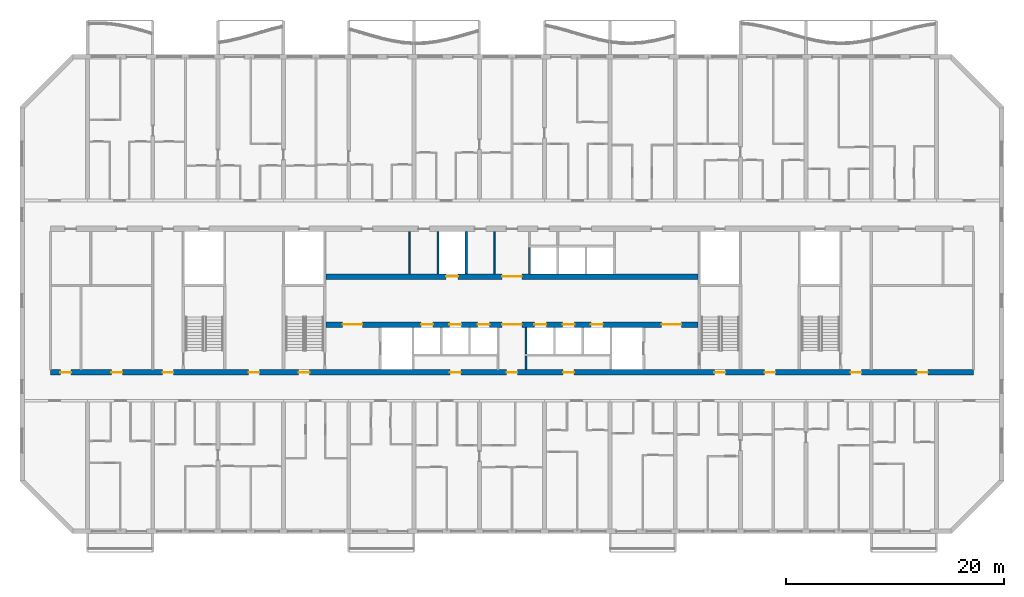
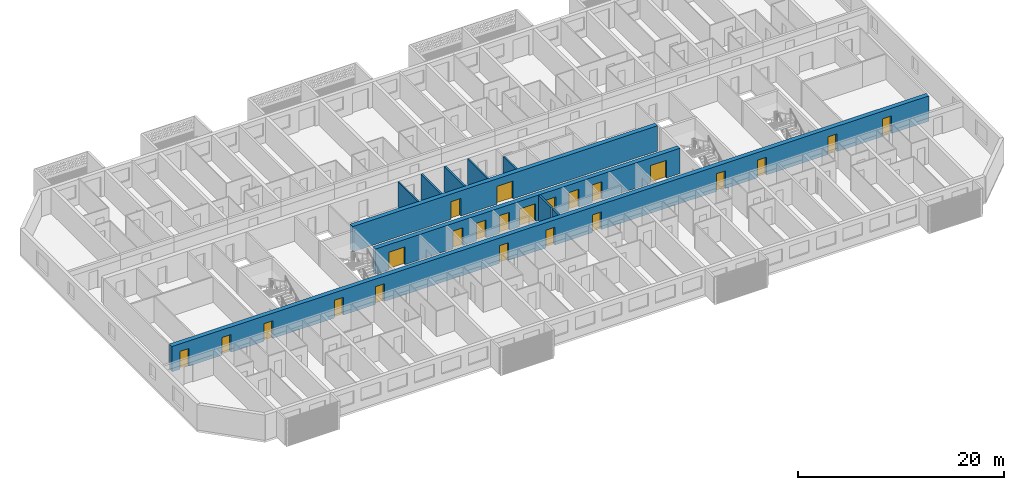
# One storey, part 7 of 24: 23 doors, 10 walls, 23 openings.
"""IFC4 building model written with IfcOpenShell, lengths in metres."""

from ifc_helpers import new_model, si_unit, direction, frame, frame_2d, origin, place, context, subcontext, project, spatial, rectangle, extrude, material, layer, layer_set, type_object, element, fill, save


model = new_model("IFC4")

# Units and contexts
model_context = context("Model", 3, precision=1e-05, world=origin(), true_north=direction((0.0, 1.0)))
body_context = subcontext(model_context, "Body", "Model", "MODEL_VIEW")
ifc_project = project(units=[si_unit("LENGTHUNIT", "METRE"), si_unit("AREAUNIT", "SQUARE_METRE"), si_unit("VOLUMEUNIT", "CUBIC_METRE"), si_unit("PLANEANGLEUNIT", "RADIAN"), si_unit("MASSUNIT", "GRAM", prefix="KILO")], contexts=[model_context])

# Site, building, storey
site_placement = place(None, origin())
site = spatial("IfcSite", under=ifc_project, at=site_placement, CompositionType="ELEMENT")
building_placement = place(site_placement, origin())
building = spatial("IfcBuilding", under=site, at=building_placement, Name="Poui Terraces", CompositionType="ELEMENT")
storey_placement = place(building_placement, frame((0.0, 0.0, 102.60009765625)))
storey = spatial("IfcBuildingStorey", under=building, at=storey_placement, Name="L28", CompositionType="ELEMENT", Elevation=102.60009765625)

# Wall, openings, doors
ifc_material_1 = material(Name="Concrete 65 MPa", Category="concrete")
ifc_layer_1 = layer(ifc_material_1, 0.5)
ifc_layer_set_1 = layer_set([ifc_layer_1], Name="Concrete 65 MPa")
wall_type_1 = type_object("IfcWallType", Name="CORE WALL 500 65 MPA", PredefinedType="SOLIDWALL", material=ifc_layer_set_1)
wall_1_placement = place(storey_placement, frame((33.925048828125, 19.0, 0.0), z_axis=(0.0, 0.0, 1.0), x_axis=(1.0, 0.0, 0.0)))
wall_1 = element("IfcWall", 1, at=wall_1_placement, inside=storey, type_object=wall_type_1, Name="CORE WALL", PredefinedType="SOLIDWALL", context=body_context, shape_type="SweptSolid", body=[
    extrude(rectangle(XDim=34.14990234375, YDim=0.5, at=frame_2d((17.074951171875, 0.0))), origin(), (0.0, 0.0, 1.0), 3.0),
])
opening_1_placement = place(wall_1_placement, frame((16.175048828125, 0.0, 0.0)))
opening_1 = element("IfcOpeningElement", 2, at=opening_1_placement, cuts=wall_1, Name="Opening FDD60", PredefinedType="OPENING", context=body_context, shape_type="SweptSolid", body=[
    extrude(rectangle(XDim=1.800048828125, YDim=2.10009765625, at=frame_2d((0.89990234375, 1.050048828125))), frame((0.0, 0.260009765625, 0.0), z_axis=(0.0, -1.0, 0.0), x_axis=(1.0, 0.0, 0.0)), (0.0, 0.0, 1.0), 0.52001953125),
])
opening_2_placement = place(wall_1_placement, frame((1.52490234375, 0.0, 0.0)))
opening_2 = element("IfcOpeningElement", 3, at=opening_2_placement, cuts=wall_1, Name="Opening FDD60", PredefinedType="OPENING", context=body_context, shape_type="SweptSolid", body=[
    extrude(rectangle(XDim=1.800048828125, YDim=2.10009765625, at=frame_2d((0.89990234375, 1.050048828125))), frame((0.0, 0.260009765625, 0.0), z_axis=(0.0, -1.0, 0.0), x_axis=(1.0, 0.0, 0.0)), (0.0, 0.0, 1.0), 0.52001953125),
])
opening_3_placement = place(wall_1_placement, frame((8.72509765625, 0.0, 0.0)))
opening_3 = element("IfcOpeningElement", 4, at=opening_3_placement, cuts=wall_1, Name="Opening LD", PredefinedType="OPENING", context=body_context, shape_type="SweptSolid", body=[
    extrude(rectangle(XDim=1.10009765625, YDim=2.10009765625, at=frame_2d((0.550048828125, 1.050048828125))), frame((0.0, 0.260009765625, 0.0), z_axis=(0.0, -1.0, 0.0), x_axis=(1.0, 0.0, 0.0)), (0.0, 0.0, 1.0), 0.52001953125),
])
opening_4_placement = place(wall_1_placement, frame((11.324951171875, 0.0, 0.0)))
opening_4 = element("IfcOpeningElement", 5, at=opening_4_placement, cuts=wall_1, Name="Opening LD", PredefinedType="OPENING", context=body_context, shape_type="SweptSolid", body=[
    extrude(rectangle(XDim=1.10009765625, YDim=2.10009765625, at=frame_2d((0.550048828125, 1.050048828125))), frame((0.0, 0.260009765625, 0.0), z_axis=(0.0, -1.0, 0.0), x_axis=(1.0, 0.0, 0.0)), (0.0, 0.0, 1.0), 0.52001953125),
])
opening_5_placement = place(wall_1_placement, frame((13.925048828125, 0.0, 0.0)))
opening_5 = element("IfcOpeningElement", 6, at=opening_5_placement, cuts=wall_1, Name="Opening LD", PredefinedType="OPENING", context=body_context, shape_type="SweptSolid", body=[
    extrude(rectangle(XDim=1.10009765625, YDim=2.10009765625, at=frame_2d((0.550048828125, 1.050048828125))), frame((0.0, 0.260009765625, 0.0), z_axis=(0.0, -1.0, 0.0), x_axis=(1.0, 0.0, 0.0)), (0.0, 0.0, 1.0), 0.52001953125),
])
opening_6_placement = place(wall_1_placement, frame((19.125, 0.0, 0.0)))
opening_6 = element("IfcOpeningElement", 7, at=opening_6_placement, cuts=wall_1, Name="Opening LD", PredefinedType="OPENING", context=body_context, shape_type="SweptSolid", body=[
    extrude(rectangle(XDim=1.10009765625, YDim=2.10009765625, at=frame_2d((0.550048828125, 1.050048828125))), frame((0.0, 0.260009765625, 0.0), z_axis=(0.0, -1.0, 0.0), x_axis=(1.0, 0.0, 0.0)), (0.0, 0.0, 1.0), 0.52001953125),
])
opening_7_placement = place(wall_1_placement, frame((21.72509765625, 0.0, 0.0)))
opening_7 = element("IfcOpeningElement", 8, at=opening_7_placement, cuts=wall_1, Name="Opening LD", PredefinedType="OPENING", context=body_context, shape_type="SweptSolid", body=[
    extrude(rectangle(XDim=1.10009765625, YDim=2.10009765625, at=frame_2d((0.550048828125, 1.050048828125))), frame((0.0, 0.260009765625, 0.0), z_axis=(0.0, -1.0, 0.0), x_axis=(1.0, 0.0, 0.0)), (0.0, 0.0, 1.0), 0.52001953125),
])
opening_8_placement = place(wall_1_placement, frame((24.324951171875, 0.0, 0.0)))
opening_8 = element("IfcOpeningElement", 9, at=opening_8_placement, cuts=wall_1, Name="Opening LD", PredefinedType="OPENING", context=body_context, shape_type="SweptSolid", body=[
    extrude(rectangle(XDim=1.10009765625, YDim=2.10009765625, at=frame_2d((0.550048828125, 1.050048828125))), frame((0.0, 0.260009765625, 0.0), z_axis=(0.0, -1.0, 0.0), x_axis=(1.0, 0.0, 0.0)), (0.0, 0.0, 1.0), 0.52001953125),
])
opening_9_placement = place(wall_1_placement, frame((30.824951171875, 0.0, 0.0)))
opening_9 = element("IfcOpeningElement", 10, at=opening_9_placement, cuts=wall_1, Name="Opening FDD60", PredefinedType="OPENING", context=body_context, shape_type="SweptSolid", body=[
    extrude(rectangle(XDim=1.800048828125, YDim=2.10009765625, at=frame_2d((0.89990234375, 1.050048828125))), frame((0.0, 0.260009765625, 0.0), z_axis=(0.0, -1.0, 0.0), x_axis=(1.0, 0.0, 0.0)), (0.0, 0.0, 1.0), 0.52001953125),
])
ifc_material_2 = material(Name="Steel fire door", Category="steel")
door_type_1 = type_object("IfcDoorType", Name="DOUBLE LOBBY FIRE DOOR 1800 X 2100", OperationType="DOUBLE_DOOR_SINGLE_SWING", PredefinedType="DOOR", material=ifc_material_2)
door_1_placement = place(opening_1_placement, frame((1.800048828125, 0.0, 0.0), z_axis=(0.0, 0.0, 1.0), x_axis=(-1.0, 0.0, 0.0)))
door_1 = element("IfcDoor", 11, at=door_1_placement, inside=storey, type_object=door_type_1, Name="DOUBLE LOBBY FIRE DOOR 137", OperationType="DOUBLE_DOOR_SINGLE_SWING", OverallHeight=2.10009765625, OverallWidth=1.800048828125, PredefinedType="DOOR", context=body_context, shape_type="SweptSolid", body=[
    extrude(rectangle(XDim=1.800048828125, YDim=2.10009765625, at=frame_2d((0.89990234375, 1.050048828125))), frame((0.0, 0.02490234375, 0.0), z_axis=(0.0, -1.0, 0.0), x_axis=(1.0, 0.0, 0.0)), (0.0, 0.0, 1.0), 0.050048828125),
])
fill(opening_1, door_1)
door_2_placement = place(opening_2_placement, origin())
door_2 = element("IfcDoor", 12, at=door_2_placement, inside=storey, type_object=door_type_1, Name="DOUBLE LOBBY FIRE DOOR 138", OperationType="DOUBLE_DOOR_SINGLE_SWING", OverallHeight=2.10009765625, OverallWidth=1.800048828125, PredefinedType="DOOR", context=body_context, shape_type="SweptSolid", body=[
    extrude(rectangle(XDim=1.800048828125, YDim=2.10009765625, at=frame_2d((0.89990234375, 1.050048828125))), frame((0.0, 0.02490234375, 0.0), z_axis=(0.0, -1.0, 0.0), x_axis=(1.0, 0.0, 0.0)), (0.0, 0.0, 1.0), 0.050048828125),
])
fill(opening_2, door_2)
door_3_placement = place(opening_9_placement, origin())
door_3 = element("IfcDoor", 13, at=door_3_placement, inside=storey, type_object=door_type_1, Name="DOUBLE LOBBY FIRE DOOR 146", OperationType="DOUBLE_DOOR_SINGLE_SWING", OverallHeight=2.10009765625, OverallWidth=1.800048828125, PredefinedType="DOOR", context=body_context, shape_type="SweptSolid", body=[
    extrude(rectangle(XDim=1.800048828125, YDim=2.10009765625, at=frame_2d((0.89990234375, 1.050048828125))), frame((0.0, 0.02490234375, 0.0), z_axis=(0.0, -1.0, 0.0), x_axis=(1.0, 0.0, 0.0)), (0.0, 0.0, 1.0), 0.050048828125),
])
fill(opening_9, door_3)
ifc_material_3 = material(Name="Stainless steel sliding door", Category="steel")
door_type_2 = type_object("IfcDoorType", Name="LIFT LANDING DOOR 1100 X 2100", OperationType="DOUBLE_DOOR_SLIDING", PredefinedType="DOOR", material=ifc_material_3)
door_4_placement = place(opening_3_placement, origin())
door_4 = element("IfcDoor", 14, at=door_4_placement, inside=storey, type_object=door_type_2, Name="LANDING DOOR", OperationType="DOUBLE_DOOR_SLIDING", OverallHeight=2.10009765625, OverallWidth=1.10009765625, PredefinedType="DOOR", context=body_context, shape_type="SweptSolid", body=[
    extrude(rectangle(XDim=1.10009765625, YDim=2.10009765625, at=frame_2d((0.550048828125, 1.050048828125))), frame((0.0, 0.02490234375, 0.0), z_axis=(0.0, -1.0, 0.0), x_axis=(1.0, 0.0, 0.0)), (0.0, 0.0, 1.0), 0.050048828125),
])
fill(opening_3, door_4)
door_5_placement = place(opening_4_placement, origin())
door_5 = element("IfcDoor", 15, at=door_5_placement, inside=storey, type_object=door_type_2, Name="LANDING DOOR", OperationType="DOUBLE_DOOR_SLIDING", OverallHeight=2.10009765625, OverallWidth=1.10009765625, PredefinedType="DOOR", context=body_context, shape_type="SweptSolid", body=[
    extrude(rectangle(XDim=1.10009765625, YDim=2.10009765625, at=frame_2d((0.550048828125, 1.050048828125))), frame((0.0, 0.02490234375, 0.0), z_axis=(0.0, -1.0, 0.0), x_axis=(1.0, 0.0, 0.0)), (0.0, 0.0, 1.0), 0.050048828125),
])
fill(opening_4, door_5)
door_6_placement = place(opening_5_placement, origin())
door_6 = element("IfcDoor", 16, at=door_6_placement, inside=storey, type_object=door_type_2, Name="LANDING DOOR", OperationType="DOUBLE_DOOR_SLIDING", OverallHeight=2.10009765625, OverallWidth=1.10009765625, PredefinedType="DOOR", context=body_context, shape_type="SweptSolid", body=[
    extrude(rectangle(XDim=1.10009765625, YDim=2.10009765625, at=frame_2d((0.550048828125, 1.050048828125))), frame((0.0, 0.02490234375, 0.0), z_axis=(0.0, -1.0, 0.0), x_axis=(1.0, 0.0, 0.0)), (0.0, 0.0, 1.0), 0.050048828125),
])
fill(opening_5, door_6)
door_7_placement = place(opening_6_placement, origin())
door_7 = element("IfcDoor", 17, at=door_7_placement, inside=storey, type_object=door_type_2, Name="LANDING DOOR", OperationType="DOUBLE_DOOR_SLIDING", OverallHeight=2.10009765625, OverallWidth=1.10009765625, PredefinedType="DOOR", context=body_context, shape_type="SweptSolid", body=[
    extrude(rectangle(XDim=1.10009765625, YDim=2.10009765625, at=frame_2d((0.550048828125, 1.050048828125))), frame((0.0, 0.02490234375, 0.0), z_axis=(0.0, -1.0, 0.0), x_axis=(1.0, 0.0, 0.0)), (0.0, 0.0, 1.0), 0.050048828125),
])
fill(opening_6, door_7)
door_8_placement = place(opening_7_placement, origin())
door_8 = element("IfcDoor", 18, at=door_8_placement, inside=storey, type_object=door_type_2, Name="LANDING DOOR", OperationType="DOUBLE_DOOR_SLIDING", OverallHeight=2.10009765625, OverallWidth=1.10009765625, PredefinedType="DOOR", context=body_context, shape_type="SweptSolid", body=[
    extrude(rectangle(XDim=1.10009765625, YDim=2.10009765625, at=frame_2d((0.550048828125, 1.050048828125))), frame((0.0, 0.02490234375, 0.0), z_axis=(0.0, -1.0, 0.0), x_axis=(1.0, 0.0, 0.0)), (0.0, 0.0, 1.0), 0.050048828125),
])
fill(opening_7, door_8)
door_9_placement = place(opening_8_placement, origin())
door_9 = element("IfcDoor", 19, at=door_9_placement, inside=storey, type_object=door_type_2, Name="LANDING DOOR", OperationType="DOUBLE_DOOR_SLIDING", OverallHeight=2.10009765625, OverallWidth=1.10009765625, PredefinedType="DOOR", context=body_context, shape_type="SweptSolid", body=[
    extrude(rectangle(XDim=1.10009765625, YDim=2.10009765625, at=frame_2d((0.550048828125, 1.050048828125))), frame((0.0, 0.02490234375, 0.0), z_axis=(0.0, -1.0, 0.0), x_axis=(1.0, 0.0, 0.0)), (0.0, 0.0, 1.0), 0.050048828125),
])
fill(opening_8, door_9)

wall_2_placement = place(storey_placement, frame((33.925048828125, 23.39990234375, 0.0), z_axis=(0.0, 0.0, 1.0), x_axis=(1.0, 0.0, 0.0)))
wall_2 = element("IfcWall", 20, at=wall_2_placement, inside=storey, type_object=wall_type_1, Name="CORE WALL", PredefinedType="SOLIDWALL", context=body_context, shape_type="SweptSolid", body=[
    extrude(rectangle(XDim=34.14990234375, YDim=0.5, at=frame_2d((17.074951171875, 0.0))), origin(), (0.0, 0.0, 1.0), 3.0),
])
opening_10_placement = place(wall_2_placement, frame((16.175048828125, 0.0, 0.0)))
opening_10 = element("IfcOpeningElement", 21, at=opening_10_placement, cuts=wall_2, Name="Opening FDD60", PredefinedType="OPENING", context=body_context, shape_type="SweptSolid", body=[
    extrude(rectangle(XDim=1.800048828125, YDim=2.10009765625, at=frame_2d((0.89990234375, 1.050048828125))), frame((0.0, 0.260009765625, 0.0), z_axis=(0.0, -1.0, 0.0), x_axis=(1.0, 0.0, 0.0)), (0.0, 0.0, 1.0), 0.52001953125),
])
opening_11_placement = place(wall_2_placement, frame((11.02490234375, 0.0, 0.0)))
opening_11 = element("IfcOpeningElement", 22, at=opening_11_placement, cuts=wall_2, Name="Opening LD", PredefinedType="OPENING", context=body_context, shape_type="SweptSolid", body=[
    extrude(rectangle(XDim=1.10009765625, YDim=2.10009765625, at=frame_2d((0.550048828125, 1.050048828125))), frame((0.0, 0.260009765625, 0.0), z_axis=(0.0, -1.0, 0.0), x_axis=(1.0, 0.0, 0.0)), (0.0, 0.0, 1.0), 0.52001953125),
])
door_10_placement = place(opening_10_placement, origin())
door_10 = element("IfcDoor", 23, at=door_10_placement, inside=storey, type_object=door_type_1, Name="DOUBLE LOBBY FIRE DOOR 136", OperationType="DOUBLE_DOOR_SINGLE_SWING", OverallHeight=2.10009765625, OverallWidth=1.800048828125, PredefinedType="DOOR", context=body_context, shape_type="SweptSolid", body=[
    extrude(rectangle(XDim=1.800048828125, YDim=2.10009765625, at=frame_2d((0.89990234375, 1.050048828125))), frame((0.0, 0.02490234375, 0.0), z_axis=(0.0, -1.0, 0.0), x_axis=(1.0, 0.0, 0.0)), (0.0, 0.0, 1.0), 0.050048828125),
])
fill(opening_10, door_10)
door_11_placement = place(opening_11_placement, origin())
door_11 = element("IfcDoor", 24, at=door_11_placement, inside=storey, type_object=door_type_2, Name="LANDING DOOR", OperationType="DOUBLE_DOOR_SLIDING", OverallHeight=2.10009765625, OverallWidth=1.10009765625, PredefinedType="DOOR", context=body_context, shape_type="SweptSolid", body=[
    extrude(rectangle(XDim=1.10009765625, YDim=2.10009765625, at=frame_2d((0.550048828125, 1.050048828125))), frame((0.0, 0.02490234375, 0.0), z_axis=(0.0, -1.0, 0.0), x_axis=(1.0, 0.0, 0.0)), (0.0, 0.0, 1.0), 0.050048828125),
])
fill(opening_11, door_11)

# Walls
ifc_material_4 = material(Name="Fire-rated plasterboard wall")
ifc_layer_2 = layer(ifc_material_4, 0.14990234375)
ifc_layer_set_2 = layer_set([ifc_layer_2], Name="Fire-rated plasterboard wall")
wall_type_2 = type_object("IfcWallType", Name="CORRIDOR WALL 150", PredefinedType="PARTITIONING", material=ifc_layer_set_2)
wall_3_placement = place(storey_placement, frame((49.39990234375, 23.659912109375, 0.0), z_axis=(0.0, 0.0, 1.0), x_axis=(0.0, 1.0, 0.0)))
element("IfcWall", 25, at=wall_3_placement, inside=storey, type_object=wall_type_2, Name="CORRIDOR WALL 150", PredefinedType="PARTITIONING", context=body_context, shape_type="SweptSolid", body=[
    extrude(rectangle(XDim=3.880126953125, YDim=0.14990234375, at=frame_2d((1.93994140625, 0.0))), origin(), (0.0, 0.0, 1.0), 3.0),
])
ifc_material_5 = material(Name="Plasterboard partition")
ifc_layer_3 = layer(ifc_material_5, 0.14990234375)
ifc_layer_set_3 = layer_set([ifc_layer_3], Name="Plasterboard partition")
wall_type_3 = type_object("IfcWallType", Name="PARTITION WALL 150", PredefinedType="PARTITIONING", material=ifc_layer_set_3)
wall_4_placement = place(storey_placement, frame((41.60009765625, 23.659912109375, 0.0), z_axis=(0.0, 0.0, 1.0), x_axis=(0.0, 1.0, 0.0)))
element("IfcWall", 26, at=wall_4_placement, inside=storey, type_object=wall_type_3, Name="PARTITION WALL 150", PredefinedType="PARTITIONING", context=body_context, shape_type="SweptSolid", body=[
    extrude(rectangle(XDim=3.880126953125, YDim=0.14990234375, at=frame_2d((1.93994140625, 0.0))), origin(), (0.0, 0.0, 1.0), 3.0),
])
ifc_material_6 = material(Name="Fire-rated masonry wall", Category="masonry")
ifc_layer_4 = layer(ifc_material_6, 0.199951171875)
ifc_layer_set_4 = layer_set([ifc_layer_4], Name="Fire-rated masonry wall")
wall_type_4 = type_object("IfcWallType", Name="PLANT ROOM WALL 200", PredefinedType="PARTITIONING", material=ifc_layer_set_4)
wall_5_placement = place(storey_placement, frame((52.300048828125, 14.860107421875, 0.0), z_axis=(0.0, 0.0, 1.0), x_axis=(0.0, 1.0, 0.0)))
element("IfcWall", 27, at=wall_5_placement, inside=storey, type_object=wall_type_4, Name="PLANT ROOM WALL 200", PredefinedType="PARTITIONING", context=body_context, shape_type="SweptSolid", body=[
    extrude(rectangle(XDim=1.239990234375, YDim=0.199951171875, at=frame_2d((0.6201171875, 0.0))), origin(), (0.0, 0.0, 1.0), 3.0),
])
ifc_material_7 = material(Name="Fire-rated masonry shaft wall", Category="masonry")
ifc_layer_5 = layer(ifc_material_7, 0.199951171875)
ifc_layer_set_5 = layer_set([ifc_layer_5], Name="Fire-rated masonry shaft wall")
wall_type_5 = type_object("IfcWallType", Name="SHAFT WALL 200", PredefinedType="PARTITIONING", material=ifc_layer_set_5)
for number, where, z_axis, x_axis, name in (
    (28, (44.199951171875, 23.659912109375, 0.0), (0.0, 0.0, 1.0), (0.0, 1.0, 0.0), "SHAFT WALL 200"),
    (29, (46.800048828125, 23.659912109375, 0.0), (0.0, 0.0, 1.0), (0.0, 1.0, 0.0), "SHAFT WALL 200"),
):
    element("IfcWall", number, at=place(storey_placement, frame(where, z_axis=z_axis, x_axis=x_axis)), inside=storey, type_object=wall_type_5, Name=name, PredefinedType="PARTITIONING", context=body_context, shape_type="SweptSolid", body=[
        extrude(rectangle(XDim=3.880126953125, YDim=0.199951171875, at=frame_2d((1.93994140625, 0.0))), origin(), (0.0, 0.0, 1.0), 3.0),
    ])
wall_6_placement = place(storey_placement, frame((52.300048828125, 16.300048828125, 0.0), z_axis=(0.0, 0.0, 1.0), x_axis=(0.0, 1.0, 0.0)))
element("IfcWall", 30, at=wall_6_placement, inside=storey, type_object=wall_type_5, Name="SHAFT WALL 200", PredefinedType="PARTITIONING", context=body_context, shape_type="SweptSolid", body=[
    extrude(rectangle(XDim=2.43994140625, YDim=0.199951171875, at=frame_2d((1.219970703125, 0.0))), origin(), (0.0, 0.0, 1.0), 3.0),
])
wall_7_placement = place(storey_placement, frame((52.60009765625, 23.659912109375, 0.0), z_axis=(0.0, 0.0, 1.0), x_axis=(0.0, 1.0, 0.0)))
element("IfcWall", 31, at=wall_7_placement, inside=storey, type_object=wall_type_5, Name="SHAFT WALL 200", PredefinedType="PARTITIONING", context=body_context, shape_type="SweptSolid", body=[
    extrude(rectangle(XDim=2.440185546875, YDim=0.199951171875, at=frame_2d((1.22021484375, 0.0))), origin(), (0.0, 0.0, 1.0), 3.0),
])

# Wall, openings, doors
ifc_layer_6 = layer(ifc_material_1, 0.5)
ifc_layer_set_6 = layer_set([ifc_layer_6], Name="Concrete 65 MPa")
wall_type_6 = type_object("IfcWallType", Name="SPINE WALL 500 65 MPA", PredefinedType="SOLIDWALL", material=ifc_layer_set_6)
wall_8_placement = place(storey_placement, frame((8.60009765625, 14.60009765625, 0.0), z_axis=(0.0, 0.0, 1.0), x_axis=(1.0, 0.0, 0.0)))
wall_8 = element("IfcWall", 32, at=wall_8_placement, inside=storey, type_object=wall_type_6, Name="SPINE WALL", PredefinedType="SOLIDWALL", context=body_context, shape_type="SweptSolid", body=[
    extrude(rectangle(XDim=84.7998046875, YDim=0.5, at=frame_2d((42.39990234375, 0.0))), origin(), (0.0, 0.0, 1.0), 3.0),
])
opening_12_placement = place(wall_8_placement, frame((0.89990234375, 0.0, 0.0)))
opening_12 = element("IfcOpeningElement", 33, at=opening_12_placement, cuts=wall_8, Name="Opening FD60", PredefinedType="OPENING", context=body_context, shape_type="SweptSolid", body=[
    extrude(rectangle(XDim=1.0, YDim=2.10009765625, at=frame_2d((0.5, 1.050048828125))), frame((0.0, 0.260009765625, 0.0), z_axis=(0.0, -1.0, 0.0), x_axis=(1.0, 0.0, 0.0)), (0.0, 0.0, 1.0), 0.52001953125),
])
opening_13_placement = place(wall_8_placement, frame((5.60009765625, 0.0, 0.0)))
opening_13 = element("IfcOpeningElement", 34, at=opening_13_placement, cuts=wall_8, Name="Opening FD60", PredefinedType="OPENING", context=body_context, shape_type="SweptSolid", body=[
    extrude(rectangle(XDim=1.0, YDim=2.10009765625, at=frame_2d((0.5, 1.050048828125))), frame((0.0, 0.260009765625, 0.0), z_axis=(0.0, -1.0, 0.0), x_axis=(1.0, 0.0, 0.0)), (0.0, 0.0, 1.0), 0.52001953125),
])
opening_14_placement = place(wall_8_placement, frame((10.300048828125, 0.0, 0.0)))
opening_14 = element("IfcOpeningElement", 35, at=opening_14_placement, cuts=wall_8, Name="Opening FDL", PredefinedType="OPENING", context=body_context, shape_type="SweptSolid", body=[
    extrude(rectangle(XDim=1.0, YDim=2.10009765625, at=frame_2d((0.5, 1.050048828125))), frame((0.0, 0.260009765625, 0.0), z_axis=(0.0, -1.0, 0.0), x_axis=(1.0, 0.0, 0.0)), (0.0, 0.0, 1.0), 0.52001953125),
])
opening_15_placement = place(wall_8_placement, frame((18.199951171875, 0.0, 0.0)))
opening_15 = element("IfcOpeningElement", 36, at=opening_15_placement, cuts=wall_8, Name="Opening D100", PredefinedType="OPENING", context=body_context, shape_type="SweptSolid", body=[
    extrude(rectangle(XDim=1.0, YDim=2.10009765625, at=frame_2d((0.5, 1.050048828125))), frame((0.0, 0.260009765625, 0.0), z_axis=(0.0, -1.0, 0.0), x_axis=(1.0, 0.0, 0.0)), (0.0, 0.0, 1.0), 0.52001953125),
])
opening_16_placement = place(wall_8_placement, frame((22.800048828125, 0.0, 0.0)))
opening_16 = element("IfcOpeningElement", 37, at=opening_16_placement, cuts=wall_8, Name="Opening FD60S", PredefinedType="OPENING", context=body_context, shape_type="SweptSolid", body=[
    extrude(rectangle(XDim=1.0, YDim=2.10009765625, at=frame_2d((0.5, 1.050048828125))), frame((0.0, 0.260009765625, 0.0), z_axis=(0.0, -1.0, 0.0), x_axis=(1.0, 0.0, 0.0)), (0.0, 0.0, 1.0), 0.52001953125),
])
opening_17_placement = place(wall_8_placement, frame((36.699951171875, 0.0, 0.0)))
opening_17 = element("IfcOpeningElement", 38, at=opening_17_placement, cuts=wall_8, Name="Opening FD60", PredefinedType="OPENING", context=body_context, shape_type="SweptSolid", body=[
    extrude(rectangle(XDim=1.0, YDim=2.10009765625, at=frame_2d((0.5, 1.050048828125))), frame((0.0, 0.260009765625, 0.0), z_axis=(0.0, -1.0, 0.0), x_axis=(1.0, 0.0, 0.0)), (0.0, 0.0, 1.0), 0.52001953125),
])
opening_18_placement = place(wall_8_placement, frame((41.89990234375, 0.0, 0.0)))
opening_18 = element("IfcOpeningElement", 39, at=opening_18_placement, cuts=wall_8, Name="Opening FDL", PredefinedType="OPENING", context=body_context, shape_type="SweptSolid", body=[
    extrude(rectangle(XDim=1.0, YDim=2.10009765625, at=frame_2d((0.5, 1.050048828125))), frame((0.0, 0.260009765625, 0.0), z_axis=(0.0, -1.0, 0.0), x_axis=(1.0, 0.0, 0.0)), (0.0, 0.0, 1.0), 0.52001953125),
])
opening_19_placement = place(wall_8_placement, frame((47.10009765625, 0.0, 0.0)))
opening_19 = element("IfcOpeningElement", 40, at=opening_19_placement, cuts=wall_8, Name="Opening FD60", PredefinedType="OPENING", context=body_context, shape_type="SweptSolid", body=[
    extrude(rectangle(XDim=1.0, YDim=2.10009765625, at=frame_2d((0.5, 1.050048828125))), frame((0.0, 0.260009765625, 0.0), z_axis=(0.0, -1.0, 0.0), x_axis=(1.0, 0.0, 0.0)), (0.0, 0.0, 1.0), 0.52001953125),
])
opening_20_placement = place(wall_8_placement, frame((61.0, 0.0, 0.0)))
opening_20 = element("IfcOpeningElement", 41, at=opening_20_placement, cuts=wall_8, Name="Opening FD60S", PredefinedType="OPENING", context=body_context, shape_type="SweptSolid", body=[
    extrude(rectangle(XDim=1.0, YDim=2.10009765625, at=frame_2d((0.5, 1.050048828125))), frame((0.0, 0.260009765625, 0.0), z_axis=(0.0, -1.0, 0.0), x_axis=(1.0, 0.0, 0.0)), (0.0, 0.0, 1.0), 0.52001953125),
])
opening_21_placement = place(wall_8_placement, frame((65.60009765625, 0.0, 0.0)))
opening_21 = element("IfcOpeningElement", 42, at=opening_21_placement, cuts=wall_8, Name="Opening D100", PredefinedType="OPENING", context=body_context, shape_type="SweptSolid", body=[
    extrude(rectangle(XDim=1.0, YDim=2.10009765625, at=frame_2d((0.5, 1.050048828125))), frame((0.0, 0.260009765625, 0.0), z_axis=(0.0, -1.0, 0.0), x_axis=(1.0, 0.0, 0.0)), (0.0, 0.0, 1.0), 0.52001953125),
])
opening_22_placement = place(wall_8_placement, frame((73.5, 0.0, 0.0)))
opening_22 = element("IfcOpeningElement", 43, at=opening_22_placement, cuts=wall_8, Name="Opening FDL", PredefinedType="OPENING", context=body_context, shape_type="SweptSolid", body=[
    extrude(rectangle(XDim=1.0, YDim=2.10009765625, at=frame_2d((0.5, 1.050048828125))), frame((0.0, 0.260009765625, 0.0), z_axis=(0.0, -1.0, 0.0), x_axis=(1.0, 0.0, 0.0)), (0.0, 0.0, 1.0), 0.52001953125),
])
opening_23_placement = place(wall_8_placement, frame((79.60009765625, 0.0, 0.0)))
opening_23 = element("IfcOpeningElement", 44, at=opening_23_placement, cuts=wall_8, Name="Opening FD60", PredefinedType="OPENING", context=body_context, shape_type="SweptSolid", body=[
    extrude(rectangle(XDim=1.0, YDim=2.10009765625, at=frame_2d((0.5, 1.050048828125))), frame((0.0, 0.260009765625, 0.0), z_axis=(0.0, -1.0, 0.0), x_axis=(1.0, 0.0, 0.0)), (0.0, 0.0, 1.0), 0.52001953125),
])
ifc_material_8 = material(Name="Solid core timber door", Category="wood")
door_type_3 = type_object("IfcDoorType", Name="ACCESSIBLE INTERNAL DOOR 1000 X 2100", OperationType="NOTDEFINED", PredefinedType="DOOR", material=ifc_material_8)
door_12_placement = place(opening_15_placement, frame((1.0, 0.0, 0.0), z_axis=(0.0, 0.0, 1.0), x_axis=(-1.0, 0.0, 0.0)))
door_12 = element("IfcDoor", 45, at=door_12_placement, inside=storey, type_object=door_type_3, Name="ACCESSIBLE INTERNAL DOOR 021", OperationType="SINGLE_SWING_LEFT", OverallHeight=2.10009765625, OverallWidth=1.0, PredefinedType="DOOR", context=body_context, shape_type="SweptSolid", body=[
    extrude(rectangle(XDim=1.0, YDim=2.10009765625, at=frame_2d((0.5, 1.050048828125))), frame((0.0, 0.02490234375, 0.0), z_axis=(0.0, -1.0, 0.0), x_axis=(1.0, 0.0, 0.0)), (0.0, 0.0, 1.0), 0.050048828125),
])
fill(opening_15, door_12)
door_13_placement = place(opening_21_placement, frame((1.0, 0.0, 0.0), z_axis=(0.0, 0.0, 1.0), x_axis=(-1.0, 0.0, 0.0)))
door_13 = element("IfcDoor", 46, at=door_13_placement, inside=storey, type_object=door_type_3, Name="ACCESSIBLE INTERNAL DOOR 027", OperationType="SINGLE_SWING_RIGHT", OverallHeight=2.10009765625, OverallWidth=1.0, PredefinedType="DOOR", context=body_context, shape_type="SweptSolid", body=[
    extrude(rectangle(XDim=1.0, YDim=2.10009765625, at=frame_2d((0.5, 1.050048828125))), frame((0.0, 0.02490234375, 0.0), z_axis=(0.0, -1.0, 0.0), x_axis=(1.0, 0.0, 0.0)), (0.0, 0.0, 1.0), 0.050048828125),
])
fill(opening_21, door_13)
door_type_4 = type_object("IfcDoorType", Name="LOBBY FIRE DOOR 1000 X 2100", OperationType="NOTDEFINED", PredefinedType="DOOR", material=ifc_material_2)
door_14_placement = place(opening_14_placement, frame((1.0, 0.0, 0.0), z_axis=(0.0, 0.0, 1.0), x_axis=(-1.0, 0.0, 0.0)))
door_14 = element("IfcDoor", 47, at=door_14_placement, inside=storey, type_object=door_type_4, Name="LOBBY FIRE DOOR 020", OperationType="SINGLE_SWING_RIGHT", OverallHeight=2.10009765625, OverallWidth=1.0, PredefinedType="DOOR", context=body_context, shape_type="SweptSolid", body=[
    extrude(rectangle(XDim=1.0, YDim=2.10009765625, at=frame_2d((0.5, 1.050048828125))), frame((0.0, 0.02490234375, 0.0), z_axis=(0.0, -1.0, 0.0), x_axis=(1.0, 0.0, 0.0)), (0.0, 0.0, 1.0), 0.050048828125),
])
fill(opening_14, door_14)
door_15_placement = place(opening_18_placement, frame((1.0, 0.0, 0.0), z_axis=(0.0, 0.0, 1.0), x_axis=(-1.0, 0.0, 0.0)))
door_15 = element("IfcDoor", 48, at=door_15_placement, inside=storey, type_object=door_type_4, Name="LOBBY FIRE DOOR 024", OperationType="SINGLE_SWING_LEFT", OverallHeight=2.10009765625, OverallWidth=1.0, PredefinedType="DOOR", context=body_context, shape_type="SweptSolid", body=[
    extrude(rectangle(XDim=1.0, YDim=2.10009765625, at=frame_2d((0.5, 1.050048828125))), frame((0.0, 0.02490234375, 0.0), z_axis=(0.0, -1.0, 0.0), x_axis=(1.0, 0.0, 0.0)), (0.0, 0.0, 1.0), 0.050048828125),
])
fill(opening_18, door_15)
door_16_placement = place(opening_22_placement, frame((1.0, 0.0, 0.0), z_axis=(0.0, 0.0, 1.0), x_axis=(-1.0, 0.0, 0.0)))
door_16 = element("IfcDoor", 49, at=door_16_placement, inside=storey, type_object=door_type_4, Name="LOBBY FIRE DOOR 028", OperationType="SINGLE_SWING_LEFT", OverallHeight=2.10009765625, OverallWidth=1.0, PredefinedType="DOOR", context=body_context, shape_type="SweptSolid", body=[
    extrude(rectangle(XDim=1.0, YDim=2.10009765625, at=frame_2d((0.5, 1.050048828125))), frame((0.0, 0.02490234375, 0.0), z_axis=(0.0, -1.0, 0.0), x_axis=(1.0, 0.0, 0.0)), (0.0, 0.0, 1.0), 0.050048828125),
])
fill(opening_22, door_16)
door_type_5 = type_object("IfcDoorType", Name="SERVICE ROOM FIRE DOOR 1000 X 2100", OperationType="NOTDEFINED", PredefinedType="DOOR", material=ifc_material_2)
door_17_placement = place(opening_12_placement, frame((1.0, 0.0, 0.0), z_axis=(0.0, 0.0, 1.0), x_axis=(-1.0, 0.0, 0.0)))
door_17 = element("IfcDoor", 50, at=door_17_placement, inside=storey, type_object=door_type_5, Name="SERVICE ROOM FIRE DOOR 018", OperationType="SINGLE_SWING_LEFT", OverallHeight=2.10009765625, OverallWidth=1.0, PredefinedType="DOOR", context=body_context, shape_type="SweptSolid", body=[
    extrude(rectangle(XDim=1.0, YDim=2.10009765625, at=frame_2d((0.5, 1.050048828125))), frame((0.0, 0.02490234375, 0.0), z_axis=(0.0, -1.0, 0.0), x_axis=(1.0, 0.0, 0.0)), (0.0, 0.0, 1.0), 0.050048828125),
])
fill(opening_12, door_17)
door_18_placement = place(opening_13_placement, frame((1.0, 0.0, 0.0), z_axis=(0.0, 0.0, 1.0), x_axis=(-1.0, 0.0, 0.0)))
door_18 = element("IfcDoor", 51, at=door_18_placement, inside=storey, type_object=door_type_5, Name="SERVICE ROOM FIRE DOOR 019", OperationType="SINGLE_SWING_RIGHT", OverallHeight=2.10009765625, OverallWidth=1.0, PredefinedType="DOOR", context=body_context, shape_type="SweptSolid", body=[
    extrude(rectangle(XDim=1.0, YDim=2.10009765625, at=frame_2d((0.5, 1.050048828125))), frame((0.0, 0.02490234375, 0.0), z_axis=(0.0, -1.0, 0.0), x_axis=(1.0, 0.0, 0.0)), (0.0, 0.0, 1.0), 0.050048828125),
])
fill(opening_13, door_18)
door_19_placement = place(opening_17_placement, frame((1.0, 0.0, 0.0), z_axis=(0.0, 0.0, 1.0), x_axis=(-1.0, 0.0, 0.0)))
door_19 = element("IfcDoor", 52, at=door_19_placement, inside=storey, type_object=door_type_5, Name="SERVICE ROOM FIRE DOOR 023", OperationType="SINGLE_SWING_LEFT", OverallHeight=2.10009765625, OverallWidth=1.0, PredefinedType="DOOR", context=body_context, shape_type="SweptSolid", body=[
    extrude(rectangle(XDim=1.0, YDim=2.10009765625, at=frame_2d((0.5, 1.050048828125))), frame((0.0, 0.02490234375, 0.0), z_axis=(0.0, -1.0, 0.0), x_axis=(1.0, 0.0, 0.0)), (0.0, 0.0, 1.0), 0.050048828125),
])
fill(opening_17, door_19)
door_20_placement = place(opening_19_placement, frame((1.0, 0.0, 0.0), z_axis=(0.0, 0.0, 1.0), x_axis=(-1.0, 0.0, 0.0)))
door_20 = element("IfcDoor", 53, at=door_20_placement, inside=storey, type_object=door_type_5, Name="SERVICE ROOM FIRE DOOR 025", OperationType="SINGLE_SWING_RIGHT", OverallHeight=2.10009765625, OverallWidth=1.0, PredefinedType="DOOR", context=body_context, shape_type="SweptSolid", body=[
    extrude(rectangle(XDim=1.0, YDim=2.10009765625, at=frame_2d((0.5, 1.050048828125))), frame((0.0, 0.02490234375, 0.0), z_axis=(0.0, -1.0, 0.0), x_axis=(1.0, 0.0, 0.0)), (0.0, 0.0, 1.0), 0.050048828125),
])
fill(opening_19, door_20)
door_21_placement = place(opening_23_placement, frame((1.0, 0.0, 0.0), z_axis=(0.0, 0.0, 1.0), x_axis=(-1.0, 0.0, 0.0)))
door_21 = element("IfcDoor", 54, at=door_21_placement, inside=storey, type_object=door_type_5, Name="SERVICE ROOM FIRE DOOR 029", OperationType="SINGLE_SWING_LEFT", OverallHeight=2.10009765625, OverallWidth=1.0, PredefinedType="DOOR", context=body_context, shape_type="SweptSolid", body=[
    extrude(rectangle(XDim=1.0, YDim=2.10009765625, at=frame_2d((0.5, 1.050048828125))), frame((0.0, 0.02490234375, 0.0), z_axis=(0.0, -1.0, 0.0), x_axis=(1.0, 0.0, 0.0)), (0.0, 0.0, 1.0), 0.050048828125),
])
fill(opening_23, door_21)
door_type_6 = type_object("IfcDoorType", Name="STAIR DOOR 1000 X 2100", OperationType="NOTDEFINED", PredefinedType="DOOR", material=ifc_material_2)
door_22_placement = place(opening_16_placement, origin())
door_22 = element("IfcDoor", 55, at=door_22_placement, inside=storey, type_object=door_type_6, Name="STAIR DOOR 022", OperationType="SINGLE_SWING_RIGHT", OverallHeight=2.10009765625, OverallWidth=1.0, PredefinedType="DOOR", context=body_context, shape_type="SweptSolid", body=[
    extrude(rectangle(XDim=1.0, YDim=2.10009765625, at=frame_2d((0.5, 1.050048828125))), frame((0.0, 0.02490234375, 0.0), z_axis=(0.0, -1.0, 0.0), x_axis=(1.0, 0.0, 0.0)), (0.0, 0.0, 1.0), 0.050048828125),
])
fill(opening_16, door_22)
door_23_placement = place(opening_20_placement, origin())
door_23 = element("IfcDoor", 56, at=door_23_placement, inside=storey, type_object=door_type_6, Name="STAIR DOOR 026", OperationType="SINGLE_SWING_RIGHT", OverallHeight=2.10009765625, OverallWidth=1.0, PredefinedType="DOOR", context=body_context, shape_type="SweptSolid", body=[
    extrude(rectangle(XDim=1.0, YDim=2.10009765625, at=frame_2d((0.5, 1.050048828125))), frame((0.0, 0.02490234375, 0.0), z_axis=(0.0, -1.0, 0.0), x_axis=(1.0, 0.0, 0.0)), (0.0, 0.0, 1.0), 0.050048828125),
])
fill(opening_20, door_23)

save(model, "model.ifc")
